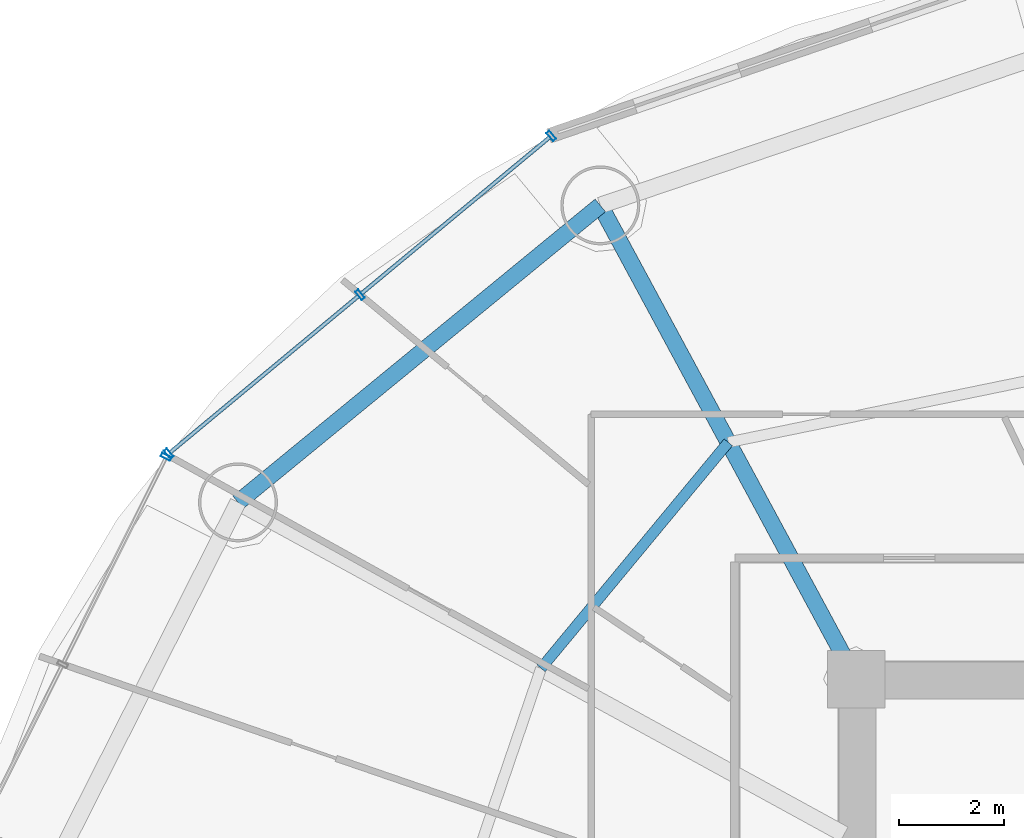
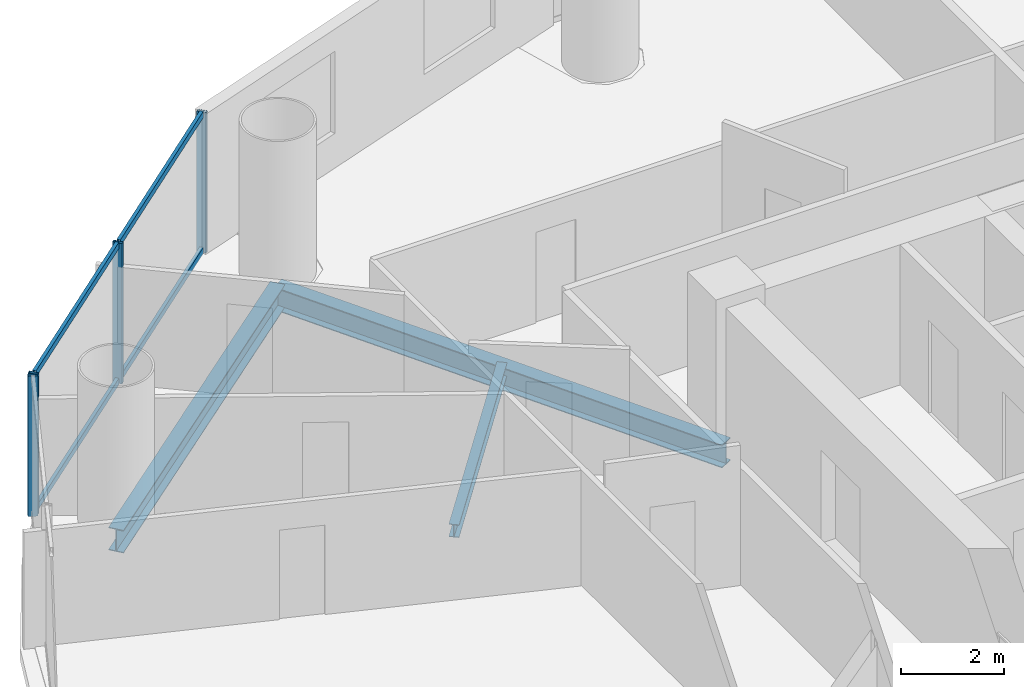
# One storey, part 16 of 29: 8 members, 3 beams, 2 elements without a shape of their own.
"""IFC4 building model written with IfcOpenShell, lengths in metres."""

from ifc_helpers import new_model, si_unit, direction, frame, origin, origin_2d, place, context, subcontext, project, spatial, hollow_rectangle, i_section, extrude, source, transform, mapped, material, material_profile, profile_set, type_object, element, aggregate, save


model = new_model("IFC4")

# Units and contexts
model_context = context("Model", 3, precision=1e-05, world=origin(), true_north=direction((-0.2419218956, 0.970295726276)))
body_context = subcontext(model_context, "Body", "Model", "MODEL_VIEW")
ifc_project = project(units=[si_unit("LENGTHUNIT", "METRE"), si_unit("AREAUNIT", "SQUARE_METRE"), si_unit("VOLUMEUNIT", "CUBIC_METRE"), si_unit("PLANEANGLEUNIT", "RADIAN"), si_unit("MASSUNIT", "GRAM", prefix="KILO")], contexts=[model_context])

# Site, building, storey
site_placement = place(None, origin())
site = spatial("IfcSite", under=ifc_project, at=site_placement, CompositionType="ELEMENT")
building_placement = place(site_placement, origin())
building = spatial("IfcBuilding", under=site, at=building_placement, Name="Cobrevalo Terracotta Tower", CompositionType="ELEMENT")
storey_placement = place(building_placement, frame((0.0, 0.0, 79.800048828125)))
storey = spatial("IfcBuildingStorey", under=building, at=storey_placement, Name="L20", CompositionType="ELEMENT", Elevation=79.800048828125)

# Beams
ifc_material_1 = material(Name="Steel S355", Category="steel")
ifc_material_profile_1 = material_profile(ifc_material_1, i_section(OverallWidth=0.31201171875, OverallDepth=0.54296875, WebThickness=0.0126953125, FlangeThickness=0.020263671875, at=origin_2d()), Name="W 530x150")
ifc_profile_set_1 = profile_set([ifc_material_profile_1], Name="Steel S355")
beam_type_1 = type_object("IfcBeamType", Name="Structural Beam W 530x150 (Steel S355)", PredefinedType="BEAM", material=ifc_profile_set_1)
beam_1_placement = place(storey_placement, frame((24.138427734375, 43.803466796875, -0.546630859375), z_axis=(0.475128224431, -0.879916570107, 0.0), x_axis=(0.879916570107, 0.475128224431, 0.0)))
element("IfcBeam", 1, at=beam_1_placement, inside=storey, type_object=beam_type_1, Name="L20 radial floor girder 06", PredefinedType="BEAM", context=body_context, shape_type="SweptSolid", body=[
    extrude(i_section(OverallWidth=0.31201171875, OverallDepth=0.54296875, WebThickness=0.0126953125, FlangeThickness=0.020263671875, at=origin_2d()), origin(), (0.0, 0.0, 1.0), 10.232177734375),
])
ifc_material_profile_2 = material_profile(ifc_material_1, i_section(OverallWidth=0.2041015625, OverallDepth=0.305908203125, WebThickness=0.008544921875, FlangeThickness=0.0146484375, at=origin_2d()), Name="W 310x67")
ifc_profile_set_2 = profile_set([ifc_material_profile_2], Name="Steel S355")
beam_type_2 = type_object("IfcBeamType", Name="Structural Joist W 310x67 (Steel S355)", PredefinedType="JOIST", material=ifc_profile_set_2)
beam_2_placement = place(storey_placement, frame((26.5693359375, 39.3017578125, -0.427978515625), z_axis=(-0.6379592588, -0.77007011636, 0.0), x_axis=(0.77007011636, -0.6379592588, 0.0)))
element("IfcBeam", 2, at=beam_2_placement, inside=storey, type_object=beam_type_2, Name="L20 circumferential secondary floor joist 06", PredefinedType="JOIST", context=body_context, shape_type="SweptSolid", body=[
    extrude(i_section(OverallWidth=0.2041015625, OverallDepth=0.305908203125, WebThickness=0.008544921875, FlangeThickness=0.0146484375, at=origin_2d()), origin(), (0.0, 0.0, 1.0), 5.575439453125),
])
ifc_material_profile_3 = material_profile(ifc_material_1, i_section(OverallWidth=0.31201171875, OverallDepth=0.54296875, WebThickness=0.0126953125, FlangeThickness=0.020263671875, at=origin_2d()), Name="W 530x150")
ifc_profile_set_3 = profile_set([ifc_material_profile_3], Name="Steel S355")
beam_type_3 = type_object("IfcBeamType", Name="Structural Spandrel W 530x150 (Steel S355)", PredefinedType="SPANDREL", material=ifc_profile_set_3)
beam_3_placement = place(storey_placement, frame((24.138427734375, 43.803466796875, -0.546630859375), z_axis=(-0.773400923541, -0.633917196064, 0.0), x_axis=(0.633917196064, -0.773400923541, 0.0)))
element("IfcBeam", 3, at=beam_3_placement, inside=storey, type_object=beam_type_3, Name="L20 perimeter ring spandrel 06", PredefinedType="SPANDREL", context=body_context, shape_type="SweptSolid", body=[
    extrude(i_section(OverallWidth=0.31201171875, OverallDepth=0.54296875, WebThickness=0.0126953125, FlangeThickness=0.020263671875, at=origin_2d()), origin(), (0.0, 0.0, 1.0), 8.900390625),
])

# Curtain wall, members
ifc_material_2 = material(Name="Anodized aluminium", Category="aluminium")
curtain_wall_type = type_object("IfcCurtainWallType", Name="Lower-tower unitised acoustic low-E curtain wall CW-U1", PredefinedType="NOTDEFINED", material=ifc_material_2)
curtain_wall_1_placement = place(storey_placement, origin())
curtain_wall_1 = element("IfcCurtainWall", 4, at=curtain_wall_1_placement, inside=storey, type_object=curtain_wall_type, Name="L20 curtain wall CW-L20-S06", PredefinedType="NOTDEFINED")
ifc_material_profile_4 = material_profile(ifc_material_2, hollow_rectangle(XDim=0.074951171875, YDim=0.199951171875, WallThickness=0.0048828125, at=origin_2d()), Name="CWM 75x200")
ifc_profile_set_4 = profile_set([ifc_material_profile_4], Name="Anodized aluminium")
member_type_1 = type_object("IfcMemberType", Name="Lower/mid tower unitised mullion 75x200", PredefinedType="MULLION", material=ifc_profile_set_4)
shared_shape_1 = source(origin(), body_context, "Body", "SweptSolid", [
    extrude(hollow_rectangle(XDim=0.074951171875, YDim=0.199951171875, WallThickness=0.0048828125, at=origin_2d()), origin(), (0.0, 0.0, 1.0), 3.324951171875),
])
member_1_placement = place(storey_placement, frame((23.207763671875, 45.125, 0.0), z_axis=(0.0, 0.0, 1.0), x_axis=(-0.769243451658, -0.638955798222, 0.0)))
member_1 = element("IfcMember", 5, at=member_1_placement, type_object=member_type_1, Name="CW-L20-S06 vertical mullion 01", PredefinedType="MULLION", context=body_context, shape_type="MappedRepresentation", body=[
    mapped(shared_shape_1, transform((0.0, 0.0, 0.0), scale=1.0)),
])
member_2_placement = place(storey_placement, frame((19.5732421875, 42.10595703125, 0.0), z_axis=(0.0, 0.0, 1.0), x_axis=(-0.769243451658, -0.638955798222, 0.0)))
member_2 = element("IfcMember", 6, at=member_2_placement, type_object=member_type_1, Name="CW-L20-S06 vertical mullion 02", PredefinedType="MULLION", context=body_context, shape_type="MappedRepresentation", body=[
    mapped(shared_shape_1, transform((0.0, 0.0, 0.0), scale=1.0)),
])
member_3_placement = place(storey_placement, frame((15.938720703125, 39.0869140625, 0.0), z_axis=(0.0, 0.0, 1.0), x_axis=(-0.769243451658, -0.638955798222, 0.0)))
member_3 = element("IfcMember", 7, at=member_3_placement, type_object=member_type_1, Name="CW-L20-S06 vertical mullion 03", PredefinedType="MULLION", context=body_context, shape_type="MappedRepresentation", body=[
    mapped(shared_shape_1, transform((0.0, 0.0, 0.0), scale=1.0)),
])

# Curtain wall, member
curtain_wall_2_placement = place(storey_placement, origin())
curtain_wall_2 = element("IfcCurtainWall", 8, at=curtain_wall_2_placement, inside=storey, type_object=curtain_wall_type, Name="L20 curtain wall CW-L20-S07", PredefinedType="NOTDEFINED")
member_4_placement = place(storey_placement, frame((15.889892578125, 39.025634765625, 0.0), z_axis=(0.0, 0.0, 1.0), x_axis=(-0.446260290227, -0.894903208937, 0.0)))
member_4 = element("IfcMember", 9, at=member_4_placement, type_object=member_type_1, Name="CW-L20-S07 vertical mullion 01", PredefinedType="MULLION", context=body_context, shape_type="MappedRepresentation", body=[
    mapped(shared_shape_1, transform((0.0, 0.0, 0.0), scale=1.0)),
])
aggregate(curtain_wall_2, [member_4])

# Member
ifc_material_profile_5 = material_profile(ifc_material_2, hollow_rectangle(XDim=0.074951171875, YDim=0.14990234375, WallThickness=0.00439453125, at=origin_2d()), Name="CWT 75x150")
ifc_profile_set_5 = profile_set([ifc_material_profile_5], Name="Anodized aluminium")
member_type_2 = type_object("IfcMemberType", Name="Tower unitised aluminium transom 75x150", PredefinedType="USERDEFINED", material=ifc_profile_set_5)
shared_shape_2 = source(origin(), body_context, "Body", "SweptSolid", [
    extrude(hollow_rectangle(XDim=0.074951171875, YDim=0.14990234375, WallThickness=0.00439453125, at=origin_2d()), origin(), (0.0, 0.0, 1.0), 4.644775390625),
])
member_5_placement = place(storey_placement, frame((23.177001953125, 45.099365234375, 0.050048828125), z_axis=(-0.76924999091, -0.638947925487, 0.0), x_axis=(0.638947925487, -0.76924999091, 0.0)))
member_5 = element("IfcMember", 10, at=member_5_placement, type_object=member_type_2, Name="CW-L20-S06 transom B01-T1", ObjectType="TRANSOM", PredefinedType="USERDEFINED", context=body_context, shape_type="MappedRepresentation", body=[
    mapped(shared_shape_2, transform((0.0, 0.0, 0.0), scale=1.0)),
])

member_6_placement = place(storey_placement, frame((23.177001953125, 45.099365234375, 3.27490234375), z_axis=(-0.76924999091, -0.638947925487, 0.0), x_axis=(0.638947925487, -0.76924999091, 0.0)))
member_6 = element("IfcMember", 11, at=member_6_placement, type_object=member_type_2, Name="CW-L20-S06 transom B01-T2", ObjectType="TRANSOM", PredefinedType="USERDEFINED", context=body_context, shape_type="MappedRepresentation", body=[
    mapped(shared_shape_2, transform((0.0, 0.0, 0.0), scale=1.0)),
])

member_7_placement = place(storey_placement, frame((19.54248046875, 42.080322265625, 0.050048828125), z_axis=(-0.76924999091, -0.638947925487, 0.0), x_axis=(0.638947925487, -0.76924999091, 0.0)))
member_7 = element("IfcMember", 12, at=member_7_placement, type_object=member_type_2, Name="CW-L20-S06 transom B02-T1", ObjectType="TRANSOM", PredefinedType="USERDEFINED", context=body_context, shape_type="MappedRepresentation", body=[
    mapped(shared_shape_2, transform((0.0, 0.0, 0.0), scale=1.0)),
])

member_8_placement = place(storey_placement, frame((19.54248046875, 42.080322265625, 3.27490234375), z_axis=(-0.76924999091, -0.638947925487, 0.0), x_axis=(0.638947925487, -0.76924999091, 0.0)))
member_8 = element("IfcMember", 13, at=member_8_placement, type_object=member_type_2, Name="CW-L20-S06 transom B02-T2", ObjectType="TRANSOM", PredefinedType="USERDEFINED", context=body_context, shape_type="MappedRepresentation", body=[
    mapped(shared_shape_2, transform((0.0, 0.0, 0.0), scale=1.0)),
])

aggregate(curtain_wall_1, [member_1, member_2, member_3, member_5, member_6, member_7, member_8])

save(model, "model.ifc")
